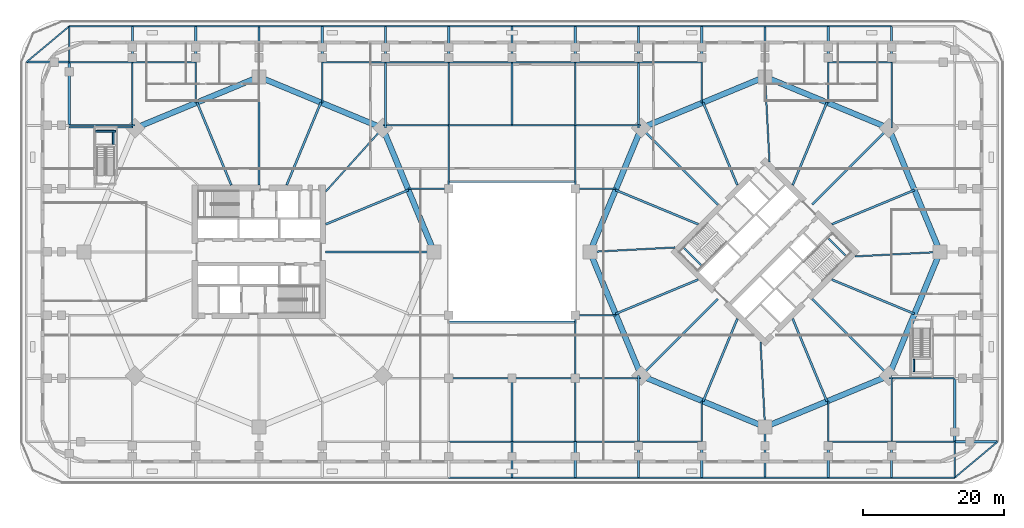
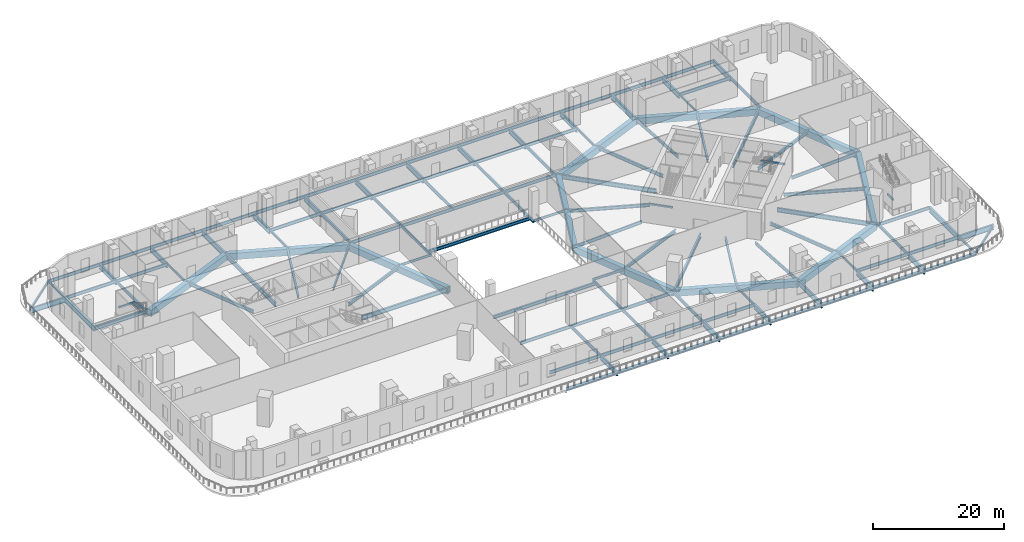
# One storey, part 2 of 19: 137 beams.
"""IFC4 building model written with IfcOpenShell, lengths in metres."""

from ifc_helpers import new_model, si_unit, direction, frame, origin, origin_2d, place, context, subcontext, project, spatial, rectangle, hollow_rectangle, i_section, extrude, material, material_profile, profile_set, type_object, element, save


model = new_model("IFC4")

# Units and contexts
model_context = context("Model", 3, precision=1e-05, world=origin(), true_north=direction((0.0, 1.0)))
body_context = subcontext(model_context, "Body", "Model", "MODEL_VIEW")
ifc_project = project(units=[si_unit("LENGTHUNIT", "METRE"), si_unit("AREAUNIT", "SQUARE_METRE"), si_unit("VOLUMEUNIT", "CUBIC_METRE"), si_unit("PLANEANGLEUNIT", "RADIAN"), si_unit("MASSUNIT", "GRAM", prefix="KILO")], contexts=[model_context])

# Site, building, storey
site_placement = place(None, origin())
site = spatial("IfcSite", under=ifc_project, at=site_placement, CompositionType="ELEMENT")
building_placement = place(site_placement, origin())
building = spatial("IfcBuilding", under=site, at=building_placement, Name="Ogive Gate Towers", CompositionType="ELEMENT")
storey_placement = place(building_placement, frame((0.0, 0.0, 12.60009765625)))
storey = spatial("IfcBuildingStorey", under=building, at=storey_placement, Name="L02", CompositionType="ELEMENT", Elevation=12.60009765625)

# Beams
ifc_material_1 = material(Name="Steel SM460", Category="steel")
ifc_material_profile_1 = material_profile(ifc_material_1, hollow_rectangle(XDim=0.800048828125, YDim=1.199951171875, WallThickness=0.050048828125, at=origin_2d()), Name="BX 1200x800x50")
ifc_profile_set_1 = profile_set([ifc_material_profile_1], Name="Steel SM460")
beam_type_1 = type_object("IfcBeamType", Name="Edge girder BX 1200x800x50", PredefinedType="BEAM", material=ifc_profile_set_1)
for number, where, z_axis, x_axis, name in (
    (1, (-11.090087890625, 0.0, -0.900146484375), (-0.382680526191, 0.923880736283, 0.0), (-0.923880736283, -0.382680526191, 0.0), "T1/L02/SBM020"),
    (2, (-18.385986328125, 17.614013671875, -0.900146484375), (-0.923880736283, 0.382680526191, 0.0), (-0.382680526191, -0.923880736283, 0.0), "T1/L02/SBM021"),
    (3, (-36.0, 24.909912109375, -0.900146484375), (-0.923880736283, -0.382680526191, 0.0), (0.382680526191, -0.923880736283, 0.0), "T1/L02/SBM022"),
    (4, (18.385986328125, -17.614013671875, -0.900146484375), (0.923880736283, -0.382680526191, 0.0), (0.382680526191, 0.923880736283, 0.0), "T2/L02/SBM017"),
    (5, (36.0, -24.909912109375, -0.900146484375), (0.923880736283, 0.382680526191, 0.0), (-0.382680526191, 0.923880736283, 0.0), "T2/L02/SBM018"),
    (6, (53.614013671875, -17.614013671875, -0.900146484375), (0.382680526191, 0.923880736283, 0.0), (-0.923880736283, 0.382680526191, 0.0), "T2/L02/SBM019"),
    (7, (60.909912109375, 0.0, -0.900146484375), (-0.382680526191, 0.923880736283, 0.0), (-0.923880736283, -0.382680526191, 0.0), "T2/L02/SBM020"),
    (8, (53.614013671875, 17.614013671875, -0.900146484375), (-0.923880736283, 0.382680526191, 0.0), (-0.382680526191, -0.923880736283, 0.0), "T2/L02/SBM021"),
    (9, (36.0, 24.909912109375, -0.900146484375), (-0.923880736283, -0.382680526191, 0.0), (0.382680526191, -0.923880736283, 0.0), "T2/L02/SBM022"),
    (10, (18.385986328125, 17.614013671875, -0.900146484375), (-0.382680526191, -0.923880736283, 0.0), (0.923880736283, -0.382680526191, 0.0), "T2/L02/SBM023"),
    (11, (11.090087890625, 0.0, -0.900146484375), (0.382680526191, -0.923880736283, 0.0), (0.923880736283, 0.382680526191, 0.0), "T2/L02/SBM024"),
):
    element("IfcBeam", number, at=place(storey_placement, frame(where, z_axis=z_axis, x_axis=x_axis)), inside=storey, type_object=beam_type_1, Name=name, PredefinedType="BEAM", context=body_context, shape_type="SweptSolid", body=[
        extrude(hollow_rectangle(XDim=0.800048828125, YDim=1.199951171875, WallThickness=0.050048828125, at=origin_2d()), origin(), (0.0, 0.0, 1.0), 19.065185546875),
    ])
ifc_material_2 = material(Name="Steel SM355", Category="steel")
ifc_material_profile_2 = material_profile(ifc_material_2, i_section(OverallWidth=0.300048828125, OverallDepth=0.590087890625, WebThickness=0.012939453125, FlangeThickness=0.02490234375, FilletRadius=0.027099609375, at=origin_2d()), Name="HE 600 A")
ifc_profile_set_2 = profile_set([ifc_material_profile_2], Name="Steel SM355")
beam_type_2 = type_object("IfcBeamType", Name="Floor beam HE 600 A", PredefinedType="BEAM", material=ifc_profile_set_2)
for number, where, z_axis, x_axis, name in (
    (12, (-9.0, -10.0, -0.59521484375), (1.0, 0.0, 0.0), (0.0, 1.0, 0.0), "PD/L02/SBM163"),
    (13, (-9.0, 10.0, -0.59521484375), (1.0, 0.0, 0.0), (0.0, 1.0, 0.0), "PD/L02/SBM164"),
):
    element("IfcBeam", number, at=place(storey_placement, frame(where, z_axis=z_axis, x_axis=x_axis)), inside=storey, type_object=beam_type_2, Name=name, PredefinedType="BEAM", context=body_context, shape_type="SweptSolid", body=[
        extrude(i_section(OverallWidth=0.300048828125, OverallDepth=0.590087890625, WebThickness=0.012939453125, FlangeThickness=0.02490234375, FilletRadius=0.027099609375, at=origin_2d()), origin(), (0.0, 0.0, 1.0), 18.0),
    ])
ifc_material_profile_3 = material_profile(ifc_material_2, i_section(OverallWidth=0.18994140625, OverallDepth=0.449951171875, WebThickness=0.009521484375, FlangeThickness=0.0146484375, FilletRadius=0.02099609375, at=origin_2d()), Name="IPE 450")
ifc_profile_set_3 = profile_set([ifc_material_profile_3], Name="Steel SM355")
beam_type_3 = type_object("IfcBeamType", Name="Floor beam IPE 450", PredefinedType="BEAM", material=ifc_profile_set_3)
for number, where, z_axis, x_axis, name in (
    (14, (-63.0, 27.0, -0.525146484375), (0.0, 1.0, 0.0), (-1.0, 0.0, 0.0), "PD/L02/SBM048"),
    (15, (63.0, -32.10009765625, -0.525146484375), (0.0, 1.0, 0.0), (-1.0, 0.0, 0.0), "PD/L02/SBM067"),
):
    element("IfcBeam", number, at=place(storey_placement, frame(where, z_axis=z_axis, x_axis=x_axis)), inside=storey, type_object=beam_type_3, Name=name, PredefinedType="BEAM", context=body_context, shape_type="SweptSolid", body=[
        extrude(i_section(OverallWidth=0.18994140625, OverallDepth=0.449951171875, WebThickness=0.009521484375, FlangeThickness=0.0146484375, FilletRadius=0.02099609375, at=origin_2d()), origin(), (0.0, 0.0, 1.0), 5.10009765625),
    ])
for number, where, z_axis, x_axis, name in (
    (16, (-45.0, 27.0, -0.525146484375), (0.0, -1.0, 0.0), (1.0, 0.0, 0.0), "PD/L02/SBM150"),
    (17, (-27.0, 27.0, -0.525146484375), (0.0, -1.0, 0.0), (1.0, 0.0, 0.0), "PD/L02/SBM152"),
    (18, (-9.0, 9.0, -0.525146484375), (-1.0, 0.0, 0.0), (0.0, -1.0, 0.0), "PD/L02/SBM154"),
    (19, (9.0, -9.0, -0.525146484375), (1.0, 0.0, 0.0), (0.0, 1.0, 0.0), "PD/L02/SBM155"),
    (20, (9.0, 9.0, -0.525146484375), (1.0, 0.0, 0.0), (0.0, 1.0, 0.0), "PD/L02/SBM156"),
    (21, (27.0, -27.0, -0.525146484375), (0.0, 1.0, 0.0), (-1.0, 0.0, 0.0), "PD/L02/SBM157"),
    (22, (27.0, 27.0, -0.525146484375), (0.0, -1.0, 0.0), (1.0, 0.0, 0.0), "PD/L02/SBM158"),
    (23, (45.0, -27.0, -0.525146484375), (0.0, 1.0, 0.0), (-1.0, 0.0, 0.0), "PD/L02/SBM159"),
    (24, (45.0, 27.0, -0.525146484375), (0.0, -1.0, 0.0), (1.0, 0.0, 0.0), "PD/L02/SBM160"),
):
    element("IfcBeam", number, at=place(storey_placement, frame(where, z_axis=z_axis, x_axis=x_axis)), inside=storey, type_object=beam_type_3, Name=name, PredefinedType="BEAM", context=body_context, shape_type="SweptSolid", body=[
        extrude(i_section(OverallWidth=0.18994140625, OverallDepth=0.449951171875, WebThickness=0.009521484375, FlangeThickness=0.0146484375, FilletRadius=0.02099609375, at=origin_2d()), origin(), (0.0, 0.0, 1.0), 5.81787109375),
    ])
ifc_material_profile_4 = material_profile(ifc_material_2, i_section(OverallWidth=0.199951171875, OverallDepth=0.5, WebThickness=0.01025390625, FlangeThickness=0.01611328125, FilletRadius=0.02099609375, at=origin_2d()), Name="IPE 500")
ifc_profile_set_4 = profile_set([ifc_material_profile_4], Name="Steel SM355")
beam_type_4 = type_object("IfcBeamType", Name="Floor beam IPE 500", PredefinedType="BEAM", material=ifc_profile_set_4)
for number, where, z_axis, x_axis, name in (
    (25, (-69.095703125, 27.0, -0.550048828125), (0.766960869865, 0.641693871014, 0.0), (-0.641693871014, 0.766960869865, 0.0), "PD/L02/SBM124"),
    (26, (69.095703125, -27.0, -0.550048828125), (-0.766960869865, -0.641693871014, 0.0), (0.641693871014, -0.766960869865, 0.0), "PD/L02/SBM146"),
):
    element("IfcBeam", number, at=place(storey_placement, frame(where, z_axis=z_axis, x_axis=x_axis)), inside=storey, type_object=beam_type_4, Name=name, PredefinedType="BEAM", context=body_context, shape_type="SweptSolid", body=[
        extrude(i_section(OverallWidth=0.199951171875, OverallDepth=0.5, WebThickness=0.01025390625, FlangeThickness=0.01611328125, FilletRadius=0.02099609375, at=origin_2d()), origin(), (0.0, 0.0, 1.0), 7.94775390625),
    ])
ifc_material_profile_5 = material_profile(ifc_material_2, i_section(OverallWidth=0.219970703125, OverallDepth=0.60009765625, WebThickness=0.011962890625, FlangeThickness=0.01904296875, FilletRadius=0.02392578125, at=origin_2d()), Name="IPE 600")
ifc_profile_set_5 = profile_set([ifc_material_profile_5], Name="Steel SM355")
beam_type_5 = type_object("IfcBeamType", Name="Floor beam IPE 600", PredefinedType="BEAM", material=ifc_profile_set_5)
for number, where, z_axis, x_axis, name in (
    (27, (-54.0, 17.614013671875, -0.60009765625), (0.0, 1.0, 0.0), (-1.0, 0.0, 0.0), "PD/L02/SBM050"),
    (28, (-18.0, 17.614013671875, -0.60009765625), (0.0, 1.0, 0.0), (-1.0, 0.0, 0.0), "PD/L02/SBM052"),
):
    element("IfcBeam", number, at=place(storey_placement, frame(where, z_axis=z_axis, x_axis=x_axis)), inside=storey, type_object=beam_type_5, Name=name, PredefinedType="BEAM", context=body_context, shape_type="SweptSolid", body=[
        extrude(i_section(OverallWidth=0.219970703125, OverallDepth=0.60009765625, WebThickness=0.011962890625, FlangeThickness=0.01904296875, FilletRadius=0.02392578125, at=origin_2d()), origin(), (0.0, 0.0, 1.0), 9.385986328125),
    ])
for number, where, z_axis, x_axis, name in (
    (29, (-9.0, 9.0, -0.60009765625), (0.0, 1.0, 0.0), (-1.0, 0.0, 0.0), "PD/L02/SBM055"),
    (30, (-9.0, 18.0, -0.60009765625), (0.0, 1.0, 0.0), (-1.0, 0.0, 0.0), "PD/L02/SBM056"),
    (31, (0.0, -27.0, -0.60009765625), (0.0, 1.0, 0.0), (-1.0, 0.0, 0.0), "PD/L02/SBM057"),
    (32, (0.0, 18.0, -0.60009765625), (0.0, 1.0, 0.0), (-1.0, 0.0, 0.0), "PD/L02/SBM058"),
    (33, (9.0, -27.0, -0.60009765625), (0.0, 1.0, 0.0), (-1.0, 0.0, 0.0), "PD/L02/SBM059"),
    (34, (9.0, -18.0, -0.60009765625), (0.0, 1.0, 0.0), (-1.0, 0.0, 0.0), "PD/L02/SBM060"),
    (35, (9.0, 9.0, -0.60009765625), (0.0, 1.0, 0.0), (-1.0, 0.0, 0.0), "PD/L02/SBM061"),
    (36, (9.0, 18.0, -0.60009765625), (0.0, 1.0, 0.0), (-1.0, 0.0, 0.0), "PD/L02/SBM062"),
):
    element("IfcBeam", number, at=place(storey_placement, frame(where, z_axis=z_axis, x_axis=x_axis)), inside=storey, type_object=beam_type_5, Name=name, PredefinedType="BEAM", context=body_context, shape_type="SweptSolid", body=[
        extrude(i_section(OverallWidth=0.219970703125, OverallDepth=0.60009765625, WebThickness=0.011962890625, FlangeThickness=0.01904296875, FilletRadius=0.02392578125, at=origin_2d()), origin(), (0.0, 0.0, 1.0), 9.0),
    ])
for number, where, z_axis, x_axis, name in (
    (37, (18.0, -27.0, -0.60009765625), (0.0, 1.0, 0.0), (-1.0, 0.0, 0.0), "PD/L02/SBM063"),
    (38, (18.0, 17.614013671875, -0.60009765625), (0.0, 1.0, 0.0), (-1.0, 0.0, 0.0), "PD/L02/SBM064"),
    (39, (54.0, -27.0, -0.60009765625), (0.0, 1.0, 0.0), (-1.0, 0.0, 0.0), "PD/L02/SBM065"),
    (40, (54.0, 17.614013671875, -0.60009765625), (0.0, 1.0, 0.0), (-1.0, 0.0, 0.0), "PD/L02/SBM066"),
):
    element("IfcBeam", number, at=place(storey_placement, frame(where, z_axis=z_axis, x_axis=x_axis)), inside=storey, type_object=beam_type_5, Name=name, PredefinedType="BEAM", context=body_context, shape_type="SweptSolid", body=[
        extrude(i_section(OverallWidth=0.219970703125, OverallDepth=0.60009765625, WebThickness=0.011962890625, FlangeThickness=0.01904296875, FilletRadius=0.02392578125, at=origin_2d()), origin(), (0.0, 0.0, 1.0), 9.385986328125),
    ])
for number, where, z_axis, x_axis, name in (
    (41, (-9.0, -27.0, -0.60009765625), (1.0, 0.0, 0.0), (0.0, 1.0, 0.0), "PD/L02/SBM075"),
    (42, (0.0, -27.0, -0.60009765625), (1.0, 0.0, 0.0), (0.0, 1.0, 0.0), "PD/L02/SBM076"),
    (43, (9.0, -27.0, -0.60009765625), (1.0, 0.0, 0.0), (0.0, 1.0, 0.0), "PD/L02/SBM077"),
    (44, (18.0, -27.0, -0.60009765625), (1.0, 0.0, 0.0), (0.0, 1.0, 0.0), "PD/L02/SBM078"),
    (45, (45.0, -27.0, -0.60009765625), (1.0, 0.0, 0.0), (0.0, 1.0, 0.0), "PD/L02/SBM079"),
    (46, (54.0, -27.0, -0.60009765625), (1.0, 0.0, 0.0), (0.0, 1.0, 0.0), "PD/L02/SBM080"),
    (47, (-9.0, -18.0, -0.60009765625), (1.0, 0.0, 0.0), (0.0, 1.0, 0.0), "PD/L02/SBM083"),
    (48, (0.0, -18.0, -0.60009765625), (1.0, 0.0, 0.0), (0.0, 1.0, 0.0), "PD/L02/SBM084"),
):
    element("IfcBeam", number, at=place(storey_placement, frame(where, z_axis=z_axis, x_axis=x_axis)), inside=storey, type_object=beam_type_5, Name=name, PredefinedType="BEAM", context=body_context, shape_type="SweptSolid", body=[
        extrude(i_section(OverallWidth=0.219970703125, OverallDepth=0.60009765625, WebThickness=0.011962890625, FlangeThickness=0.01904296875, FilletRadius=0.02392578125, at=origin_2d()), origin(), (0.0, 0.0, 1.0), 9.0),
    ])
for number, where, z_axis, x_axis, name in (
    (49, (9.0, -18.0, -0.60009765625), (1.0, 0.0, 0.0), (0.0, 1.0, 0.0), "PD/L02/SBM085"),
    (50, (53.614013671875, -18.0, -0.60009765625), (1.0, 0.0, 0.0), (0.0, 1.0, 0.0), "PD/L02/SBM086"),
    (51, (-63.0, 18.0, -0.60009765625), (1.0, 0.0, 0.0), (0.0, 1.0, 0.0), "PD/L02/SBM087"),
    (52, (-18.385986328125, 18.0, -0.60009765625), (1.0, 0.0, 0.0), (0.0, 1.0, 0.0), "PD/L02/SBM088"),
):
    element("IfcBeam", number, at=place(storey_placement, frame(where, z_axis=z_axis, x_axis=x_axis)), inside=storey, type_object=beam_type_5, Name=name, PredefinedType="BEAM", context=body_context, shape_type="SweptSolid", body=[
        extrude(i_section(OverallWidth=0.219970703125, OverallDepth=0.60009765625, WebThickness=0.011962890625, FlangeThickness=0.01904296875, FilletRadius=0.02392578125, at=origin_2d()), origin(), (0.0, 0.0, 1.0), 9.385986328125),
    ])
for number, where, z_axis, x_axis, name in (
    (53, (-9.0, 18.0, -0.60009765625), (1.0, 0.0, 0.0), (0.0, 1.0, 0.0), "PD/L02/SBM089"),
    (54, (0.0, 18.0, -0.60009765625), (1.0, 0.0, 0.0), (0.0, 1.0, 0.0), "PD/L02/SBM090"),
):
    element("IfcBeam", number, at=place(storey_placement, frame(where, z_axis=z_axis, x_axis=x_axis)), inside=storey, type_object=beam_type_5, Name=name, PredefinedType="BEAM", context=body_context, shape_type="SweptSolid", body=[
        extrude(i_section(OverallWidth=0.219970703125, OverallDepth=0.60009765625, WebThickness=0.011962890625, FlangeThickness=0.01904296875, FilletRadius=0.02392578125, at=origin_2d()), origin(), (0.0, 0.0, 1.0), 9.0),
    ])
beam_1_placement = place(storey_placement, frame((9.0, 18.0, -0.60009765625), z_axis=(1.0, 0.0, 0.0), x_axis=(0.0, 1.0, 0.0)))
element("IfcBeam", 55, at=beam_1_placement, inside=storey, type_object=beam_type_5, Name="PD/L02/SBM091", PredefinedType="BEAM", context=body_context, shape_type="SweptSolid", body=[
    extrude(i_section(OverallWidth=0.219970703125, OverallDepth=0.60009765625, WebThickness=0.011962890625, FlangeThickness=0.01904296875, FilletRadius=0.02392578125, at=origin_2d()), origin(), (0.0, 0.0, 1.0), 9.385986328125),
])
for number, where, z_axis, x_axis, name in (
    (56, (-63.0, 27.0, -0.60009765625), (1.0, 0.0, 0.0), (0.0, 1.0, 0.0), "PD/L02/SBM093"),
    (57, (-54.0, 27.0, -0.60009765625), (1.0, 0.0, 0.0), (0.0, 1.0, 0.0), "PD/L02/SBM094"),
    (58, (-27.0, 27.0, -0.60009765625), (1.0, 0.0, 0.0), (0.0, 1.0, 0.0), "PD/L02/SBM095"),
    (59, (-18.0, 27.0, -0.60009765625), (1.0, 0.0, 0.0), (0.0, 1.0, 0.0), "PD/L02/SBM096"),
    (60, (-9.0, 27.0, -0.60009765625), (1.0, 0.0, 0.0), (0.0, 1.0, 0.0), "PD/L02/SBM097"),
    (61, (0.0, 27.0, -0.60009765625), (1.0, 0.0, 0.0), (0.0, 1.0, 0.0), "PD/L02/SBM098"),
    (62, (9.0, 27.0, -0.60009765625), (1.0, 0.0, 0.0), (0.0, 1.0, 0.0), "PD/L02/SBM099"),
    (63, (18.0, 27.0, -0.60009765625), (1.0, 0.0, 0.0), (0.0, 1.0, 0.0), "PD/L02/SBM100"),
    (64, (45.0, 27.0, -0.60009765625), (1.0, 0.0, 0.0), (0.0, 1.0, 0.0), "PD/L02/SBM101"),
    (65, (63.0, -32.10009765625, -0.60009765625), (-1.0, 0.0, 0.0), (0.0, -1.0, 0.0), "PD/L02/SBM103"),
    (66, (54.0, -32.10009765625, -0.60009765625), (-1.0, 0.0, 0.0), (0.0, -1.0, 0.0), "PD/L02/SBM104"),
    (67, (45.0, -32.10009765625, -0.60009765625), (-1.0, 0.0, 0.0), (0.0, -1.0, 0.0), "PD/L02/SBM105"),
    (68, (36.0, -32.10009765625, -0.60009765625), (-1.0, 0.0, 0.0), (0.0, -1.0, 0.0), "PD/L02/SBM106"),
    (69, (27.0, -32.10009765625, -0.60009765625), (-1.0, 0.0, 0.0), (0.0, -1.0, 0.0), "PD/L02/SBM107"),
    (70, (18.0, -32.10009765625, -0.60009765625), (-1.0, 0.0, 0.0), (0.0, -1.0, 0.0), "PD/L02/SBM108"),
    (71, (9.0, -32.10009765625, -0.60009765625), (-1.0, 0.0, 0.0), (0.0, -1.0, 0.0), "PD/L02/SBM109"),
    (72, (0.0, -32.10009765625, -0.60009765625), (-1.0, 0.0, 0.0), (0.0, -1.0, 0.0), "PD/L02/SBM110"),
    (73, (-63.0, 32.10009765625, -0.60009765625), (1.0, 0.0, 0.0), (0.0, 1.0, 0.0), "PD/L02/SBM125"),
    (74, (-54.0, 32.10009765625, -0.60009765625), (1.0, 0.0, 0.0), (0.0, 1.0, 0.0), "PD/L02/SBM126"),
    (75, (-45.0, 32.10009765625, -0.60009765625), (1.0, 0.0, 0.0), (0.0, 1.0, 0.0), "PD/L02/SBM127"),
    (76, (-36.0, 32.10009765625, -0.60009765625), (1.0, 0.0, 0.0), (0.0, 1.0, 0.0), "PD/L02/SBM128"),
    (77, (-27.0, 32.10009765625, -0.60009765625), (1.0, 0.0, 0.0), (0.0, 1.0, 0.0), "PD/L02/SBM129"),
    (78, (-18.0, 32.10009765625, -0.60009765625), (1.0, 0.0, 0.0), (0.0, 1.0, 0.0), "PD/L02/SBM130"),
    (79, (-9.0, 32.10009765625, -0.60009765625), (1.0, 0.0, 0.0), (0.0, 1.0, 0.0), "PD/L02/SBM131"),
    (80, (0.0, 32.10009765625, -0.60009765625), (1.0, 0.0, 0.0), (0.0, 1.0, 0.0), "PD/L02/SBM132"),
    (81, (9.0, 32.10009765625, -0.60009765625), (1.0, 0.0, 0.0), (0.0, 1.0, 0.0), "PD/L02/SBM133"),
    (82, (18.0, 32.10009765625, -0.60009765625), (1.0, 0.0, 0.0), (0.0, 1.0, 0.0), "PD/L02/SBM134"),
    (83, (27.0, 32.10009765625, -0.60009765625), (1.0, 0.0, 0.0), (0.0, 1.0, 0.0), "PD/L02/SBM135"),
    (84, (36.0, 32.10009765625, -0.60009765625), (1.0, 0.0, 0.0), (0.0, 1.0, 0.0), "PD/L02/SBM136"),
    (85, (45.0, 32.10009765625, -0.60009765625), (1.0, 0.0, 0.0), (0.0, 1.0, 0.0), "PD/L02/SBM137"),
    (86, (-63.0, 17.719970703125, -0.60009765625), (1.0, 0.0, 0.0), (0.0, 1.0, 0.0), "PD/L02/SBM165"),
):
    element("IfcBeam", number, at=place(storey_placement, frame(where, z_axis=z_axis, x_axis=x_axis)), inside=storey, type_object=beam_type_5, Name=name, PredefinedType="BEAM", context=body_context, shape_type="SweptSolid", body=[
        extrude(i_section(OverallWidth=0.219970703125, OverallDepth=0.60009765625, WebThickness=0.011962890625, FlangeThickness=0.01904296875, FilletRadius=0.02392578125, at=origin_2d()), origin(), (0.0, 0.0, 1.0), 9.0),
    ])
ifc_material_3 = material(Name="Concrete C40/50", Category="concrete")
ifc_material_profile_6 = material_profile(ifc_material_3, rectangle(XDim=0.25, YDim=0.300048828125, at=origin_2d()), Name="RC 250x300")
ifc_profile_set_6 = profile_set([ifc_material_profile_6], Name="Concrete C40/50")
beam_type_6 = type_object("IfcBeamType", Name="Landing bearer RC 250x300", PredefinedType="BEAM", material=ifc_profile_set_6)
for number, where, z_axis, x_axis, name in (
    (87, (24.373291015625, 0.677001953125, 2.349853515625), (0.707138693938, -0.707074866995, 0.0), (0.707074866995, 0.707138693938, 0.0), "T2 L02 stair 1 landing bearer 1"),
    (88, (47.626708984375, -0.677001953125, 2.349853515625), (-0.707138693938, 0.707074866995, 0.0), (-0.707074866995, -0.707138693938, 0.0), "T2 L02 stair 2 landing bearer 1"),
):
    element("IfcBeam", number, at=place(storey_placement, frame(where, z_axis=z_axis, x_axis=x_axis)), inside=storey, type_object=beam_type_6, Name=name, PredefinedType="BEAM", context=body_context, shape_type="SweptSolid", body=[
        extrude(rectangle(XDim=0.25, YDim=0.300048828125, at=origin_2d()), origin(), (0.0, 0.0, 1.0), 3.824951171875),
    ])
ifc_material_profile_7 = material_profile(ifc_material_3, rectangle(XDim=0.25, YDim=0.300048828125, at=origin_2d()), Name="RC 250x300")
ifc_profile_set_7 = profile_set([ifc_material_profile_7], Name="Concrete C40/50")
beam_type_7 = type_object("IfcBeamType", Name="Landing bearer RC 250x300 (stair)", PredefinedType="BEAM", material=ifc_profile_set_7)
beam_2_placement = place(storey_placement, frame((-56.39990234375, 17.169921875, 2.349853515625), z_axis=(-1.0, 0.0, 0.0), x_axis=(0.0, -1.0, 0.0)))
element("IfcBeam", 89, at=beam_2_placement, inside=storey, type_object=beam_type_7, Name="PS1 L02 landing 1 bearer 2", PredefinedType="BEAM", context=body_context, shape_type="SweptSolid", body=[
    extrude(rectangle(XDim=0.25, YDim=0.300048828125, at=origin_2d()), origin(), (0.0, 0.0, 1.0), 2.85009765625),
])
for number, where, z_axis, x_axis, name in (
    (90, (-56.75, 15.294921875, 2.349853515625), (0.0, 1.0, 0.0), (-1.0, 0.0, 0.0), "PS1 L02 landing 1 bearer 3"),
    (91, (57.199951171875, -15.294921875, 2.349853515625), (0.0, -1.0, 0.0), (1.0, 0.0, 0.0), "PS2 L02 landing 1 bearer 3"),
):
    element("IfcBeam", number, at=place(storey_placement, frame(where, z_axis=z_axis, x_axis=x_axis)), inside=storey, type_object=beam_type_7, Name=name, PredefinedType="BEAM", context=body_context, shape_type="SweptSolid", body=[
        extrude(rectangle(XDim=0.25, YDim=0.300048828125, at=origin_2d()), origin(), (0.0, 0.0, 1.0), 1.75),
    ])
ifc_material_profile_8 = material_profile(ifc_material_2, i_section(OverallWidth=0.300048828125, OverallDepth=0.590087890625, WebThickness=0.012939453125, FlangeThickness=0.02490234375, FilletRadius=0.027099609375, at=origin_2d()), Name="HE 600 A")
ifc_profile_set_8 = profile_set([ifc_material_profile_8], Name="Steel SM355")
beam_type_8 = type_object("IfcBeamType", Name="Radial floor beam HE 600 A", PredefinedType="BEAM", material=ifc_profile_set_8)
for number, where, z_axis, x_axis, name in (
    (92, (-26.5, 3.93505859375, -0.59521484375), (0.923876595354, 0.382690523214, 0.0), (-0.382690523214, 0.923876595354, 0.0), "T1/L02/SBM008"),
    (93, (-32.06494140625, 9.5, -0.59521484375), (0.382690523214, 0.923876595354, 0.0), (-0.923876595354, 0.382690523214, 0.0), "T1/L02/SBM010"),
    (94, (-39.93505859375, 9.5, -0.59521484375), (-0.382690523214, 0.923876595354, 0.0), (-0.923876595354, -0.382690523214, 0.0), "T1/L02/SBM012"),
    (95, (32.06494140625, -9.5, -0.59521484375), (-0.382690523214, -0.923876595354, 0.0), (0.923876595354, -0.382690523214, 0.0), "T2/L02/SBM002"),
    (96, (39.93505859375, -9.5, -0.59521484375), (0.382690523214, -0.923876595354, 0.0), (0.923876595354, 0.382690523214, 0.0), "T2/L02/SBM004"),
    (97, (45.5, -3.93505859375, -0.59521484375), (0.923876595354, -0.382690523214, 0.0), (0.382690523214, 0.923876595354, 0.0), "T2/L02/SBM006"),
    (98, (45.5, 3.93505859375, -0.59521484375), (0.923876595354, 0.382690523214, 0.0), (-0.382690523214, 0.923876595354, 0.0), "T2/L02/SBM008"),
    (99, (39.93505859375, 9.5, -0.59521484375), (0.382690523214, 0.923876595354, 0.0), (-0.923876595354, 0.382690523214, 0.0), "T2/L02/SBM010"),
    (100, (32.06494140625, 9.5, -0.59521484375), (-0.382690523214, 0.923876595354, 0.0), (-0.923876595354, -0.382690523214, 0.0), "T2/L02/SBM012"),
    (101, (26.5, 3.93505859375, -0.59521484375), (-0.923876595354, 0.382690523214, 0.0), (-0.382690523214, -0.923876595354, 0.0), "T2/L02/SBM014"),
    (102, (26.5, -3.93505859375, -0.59521484375), (-0.923876595354, -0.382690523214, 0.0), (0.382690523214, -0.923876595354, 0.0), "T2/L02/SBM016"),
):
    element("IfcBeam", number, at=place(storey_placement, frame(where, z_axis=z_axis, x_axis=x_axis)), inside=storey, type_object=beam_type_8, Name=name, PredefinedType="BEAM", context=body_context, shape_type="SweptSolid", body=[
        extrude(i_section(OverallWidth=0.300048828125, OverallDepth=0.590087890625, WebThickness=0.012939453125, FlangeThickness=0.02490234375, FilletRadius=0.027099609375, at=origin_2d()), origin(), (0.0, 0.0, 1.0), 12.731201171875),
    ])
ifc_material_profile_9 = material_profile(ifc_material_2, i_section(OverallWidth=0.300048828125, OverallDepth=0.7900390625, WebThickness=0.014892578125, FlangeThickness=0.028076171875, FilletRadius=0.030029296875, at=origin_2d()), Name="HE 800 A")
ifc_profile_set_9 = profile_set([ifc_material_profile_9], Name="Steel SM355")
beam_type_9 = type_object("IfcBeamType", Name="Radial floor beam HE 800 A", PredefinedType="BEAM", material=ifc_profile_set_9)
for number, where, z_axis, x_axis, name in (
    (103, (-26.5, 0.0, -0.695068359375), (1.0, 0.0, 0.0), (0.0, 1.0, 0.0), "T1/L02/SBM007"),
    (104, (-36.0, 9.5, -0.695068359375), (0.0, 1.0, 0.0), (-1.0, 0.0, 0.0), "T1/L02/SBM011"),
    (105, (29.282470703125, -6.717529296875, -0.695068359375), (-0.707106781187, -0.707106781187, 0.0), (0.707106781187, -0.707106781187, 0.0), "T2/L02/SBM001"),
    (106, (42.717529296875, -6.717529296875, -0.695068359375), (0.707106781187, -0.707106781187, 0.0), (0.707106781187, 0.707106781187, 0.0), "T2/L02/SBM005"),
    (107, (42.717529296875, 6.717529296875, -0.695068359375), (0.707106781187, 0.707106781187, 0.0), (-0.707106781187, 0.707106781187, 0.0), "T2/L02/SBM009"),
    (108, (29.282470703125, 6.717529296875, -0.695068359375), (-0.707106781187, 0.707106781187, 0.0), (-0.707106781187, -0.707106781187, 0.0), "T2/L02/SBM013"),
):
    element("IfcBeam", number, at=place(storey_placement, frame(where, z_axis=z_axis, x_axis=x_axis)), inside=storey, type_object=beam_type_9, Name=name, PredefinedType="BEAM", context=body_context, shape_type="SweptSolid", body=[
        extrude(i_section(OverallWidth=0.300048828125, OverallDepth=0.7900390625, WebThickness=0.014892578125, FlangeThickness=0.028076171875, FilletRadius=0.030029296875, at=origin_2d()), origin(), (0.0, 0.0, 1.0), 15.409912109375),
    ])
ifc_material_profile_10 = material_profile(ifc_material_2, i_section(OverallWidth=0.219970703125, OverallDepth=0.60009765625, WebThickness=0.011962890625, FlangeThickness=0.01904296875, FilletRadius=0.02392578125, at=origin_2d()), Name="IPE 600")
ifc_profile_set_10 = profile_set([ifc_material_profile_10], Name="Steel SM355")
beam_type_10 = type_object("IfcBeamType", Name="Radial floor beam IPE 600", PredefinedType="BEAM", material=ifc_profile_set_10)
for number, where, z_axis, x_axis, name in (
    (109, (-26.5, 8.60009765625, -0.60009765625), (0.669032571491, 0.743233084761, 0.0), (-0.743233084761, 0.669032571491, 0.0), "T1/L02/SBM009"),
    (110, (35.363525390625, -12.798583984375, -0.60009765625), (0.052479590907, -0.998621996823, 0.0), (0.998621996823, 0.052479590907, 0.0), "T2/L02/SBM003"),
    (111, (48.798583984375, -0.636474609375, -0.60009765625), (0.998621996823, 0.052479590907, 0.0), (-0.052479590907, 0.998621996823, 0.0), "T2/L02/SBM007"),
    (112, (36.636474609375, 12.798583984375, -0.60009765625), (-0.052479590907, 0.998621996823, 0.0), (-0.998621996823, -0.052479590907, 0.0), "T2/L02/SBM011"),
    (113, (23.201416015625, 0.636474609375, -0.60009765625), (-0.998621996823, -0.052479590907, 0.0), (0.052479590907, -0.998621996823, 0.0), "T2/L02/SBM015"),
):
    element("IfcBeam", number, at=place(storey_placement, frame(where, z_axis=z_axis, x_axis=x_axis)), inside=storey, type_object=beam_type_10, Name=name, PredefinedType="BEAM", context=body_context, shape_type="SweptSolid", body=[
        extrude(i_section(OverallWidth=0.219970703125, OverallDepth=0.60009765625, WebThickness=0.011962890625, FlangeThickness=0.01904296875, FilletRadius=0.02392578125, at=origin_2d()), origin(), (0.0, 0.0, 1.0), 12.1279296875),
    ])
ifc_material_profile_11 = material_profile(ifc_material_1, i_section(OverallWidth=0.300048828125, OverallDepth=0.989990234375, WebThickness=0.0166015625, FlangeThickness=0.031005859375, FilletRadius=0.030029296875, at=origin_2d()), Name="HE 1000 A")
ifc_profile_set_11 = profile_set([ifc_material_profile_11], Name="Steel SM460")
beam_type_11 = type_object("IfcBeamType", Name="Transfer girder HE 1000 A", PredefinedType="BEAM", material=ifc_profile_set_11)
beam_3_placement = place(storey_placement, frame((-63.0, 18.0, -0.795166015625), z_axis=(0.0, 1.0, 0.0), x_axis=(-1.0, 0.0, 0.0)))
element("IfcBeam", 114, at=beam_3_placement, inside=storey, type_object=beam_type_11, Name="PD/L02/SBM002", PredefinedType="BEAM", context=body_context, shape_type="SweptSolid", body=[
    extrude(i_section(OverallWidth=0.300048828125, OverallDepth=0.989990234375, WebThickness=0.0166015625, FlangeThickness=0.031005859375, FilletRadius=0.030029296875, at=origin_2d()), origin(), (0.0, 0.0, 1.0), 9.0),
])
for number, where, z_axis, x_axis, name in (
    (115, (-54.0, 27.0, -0.795166015625), (0.0, 1.0, 0.0), (-1.0, 0.0, 0.0), "PD/L02/SBM004"),
    (116, (-45.0, 27.0, -0.795166015625), (0.0, 1.0, 0.0), (-1.0, 0.0, 0.0), "PD/L02/SBM006"),
):
    element("IfcBeam", number, at=place(storey_placement, frame(where, z_axis=z_axis, x_axis=x_axis)), inside=storey, type_object=beam_type_11, Name=name, PredefinedType="BEAM", context=body_context, shape_type="SweptSolid", body=[
        extrude(i_section(OverallWidth=0.300048828125, OverallDepth=0.989990234375, WebThickness=0.0166015625, FlangeThickness=0.031005859375, FilletRadius=0.030029296875, at=origin_2d()), origin(), (0.0, 0.0, 1.0), 5.10009765625),
    ])
beam_4_placement = place(storey_placement, frame((-36.0, 24.909912109375, -0.795166015625), z_axis=(0.0, 1.0, 0.0), x_axis=(-1.0, 0.0, 0.0)))
element("IfcBeam", 117, at=beam_4_placement, inside=storey, type_object=beam_type_11, Name="PD/L02/SBM008", PredefinedType="BEAM", context=body_context, shape_type="SweptSolid", body=[
    extrude(i_section(OverallWidth=0.300048828125, OverallDepth=0.989990234375, WebThickness=0.0166015625, FlangeThickness=0.031005859375, FilletRadius=0.030029296875, at=origin_2d()), origin(), (0.0, 0.0, 1.0), 7.190185546875),
])
for number, where, z_axis, x_axis, name in (
    (118, (-27.0, 27.0, -0.795166015625), (0.0, 1.0, 0.0), (-1.0, 0.0, 0.0), "PD/L02/SBM010"),
    (119, (-18.0, 27.0, -0.795166015625), (0.0, 1.0, 0.0), (-1.0, 0.0, 0.0), "PD/L02/SBM012"),
    (120, (-9.0, 27.0, -0.795166015625), (0.0, 1.0, 0.0), (-1.0, 0.0, 0.0), "PD/L02/SBM014"),
    (121, (0.0, -32.10009765625, -0.795166015625), (0.0, 1.0, 0.0), (-1.0, 0.0, 0.0), "PD/L02/SBM015"),
    (122, (0.0, 27.0, -0.795166015625), (0.0, 1.0, 0.0), (-1.0, 0.0, 0.0), "PD/L02/SBM016"),
    (123, (9.0, -32.10009765625, -0.795166015625), (0.0, 1.0, 0.0), (-1.0, 0.0, 0.0), "PD/L02/SBM017"),
    (124, (9.0, 27.0, -0.795166015625), (0.0, 1.0, 0.0), (-1.0, 0.0, 0.0), "PD/L02/SBM018"),
    (125, (18.0, -32.10009765625, -0.795166015625), (0.0, 1.0, 0.0), (-1.0, 0.0, 0.0), "PD/L02/SBM019"),
    (126, (18.0, 27.0, -0.795166015625), (0.0, 1.0, 0.0), (-1.0, 0.0, 0.0), "PD/L02/SBM020"),
    (127, (27.0, -32.10009765625, -0.795166015625), (0.0, 1.0, 0.0), (-1.0, 0.0, 0.0), "PD/L02/SBM021"),
    (128, (27.0, 27.0, -0.795166015625), (0.0, 1.0, 0.0), (-1.0, 0.0, 0.0), "PD/L02/SBM022"),
):
    element("IfcBeam", number, at=place(storey_placement, frame(where, z_axis=z_axis, x_axis=x_axis)), inside=storey, type_object=beam_type_11, Name=name, PredefinedType="BEAM", context=body_context, shape_type="SweptSolid", body=[
        extrude(i_section(OverallWidth=0.300048828125, OverallDepth=0.989990234375, WebThickness=0.0166015625, FlangeThickness=0.031005859375, FilletRadius=0.030029296875, at=origin_2d()), origin(), (0.0, 0.0, 1.0), 5.10009765625),
    ])
for number, where, z_axis, x_axis, name in (
    (129, (36.0, -32.10009765625, -0.795166015625), (0.0, 1.0, 0.0), (-1.0, 0.0, 0.0), "PD/L02/SBM023"),
    (130, (36.0, 24.909912109375, -0.795166015625), (0.0, 1.0, 0.0), (-1.0, 0.0, 0.0), "PD/L02/SBM024"),
):
    element("IfcBeam", number, at=place(storey_placement, frame(where, z_axis=z_axis, x_axis=x_axis)), inside=storey, type_object=beam_type_11, Name=name, PredefinedType="BEAM", context=body_context, shape_type="SweptSolid", body=[
        extrude(i_section(OverallWidth=0.300048828125, OverallDepth=0.989990234375, WebThickness=0.0166015625, FlangeThickness=0.031005859375, FilletRadius=0.030029296875, at=origin_2d()), origin(), (0.0, 0.0, 1.0), 7.190185546875),
    ])
for number, where, z_axis, x_axis, name in (
    (131, (45.0, -32.10009765625, -0.795166015625), (0.0, 1.0, 0.0), (-1.0, 0.0, 0.0), "PD/L02/SBM025"),
    (132, (45.0, 27.0, -0.795166015625), (0.0, 1.0, 0.0), (-1.0, 0.0, 0.0), "PD/L02/SBM026"),
    (133, (54.0, -32.10009765625, -0.795166015625), (0.0, 1.0, 0.0), (-1.0, 0.0, 0.0), "PD/L02/SBM027"),
    (134, (54.0, 27.0, -0.795166015625), (0.0, 1.0, 0.0), (-1.0, 0.0, 0.0), "PD/L02/SBM028"),
):
    element("IfcBeam", number, at=place(storey_placement, frame(where, z_axis=z_axis, x_axis=x_axis)), inside=storey, type_object=beam_type_11, Name=name, PredefinedType="BEAM", context=body_context, shape_type="SweptSolid", body=[
        extrude(i_section(OverallWidth=0.300048828125, OverallDepth=0.989990234375, WebThickness=0.0166015625, FlangeThickness=0.031005859375, FilletRadius=0.030029296875, at=origin_2d()), origin(), (0.0, 0.0, 1.0), 5.10009765625),
    ])
beam_5_placement = place(storey_placement, frame((63.0, -27.0, -0.795166015625), z_axis=(0.0, 1.0, 0.0), x_axis=(-1.0, 0.0, 0.0)))
element("IfcBeam", 135, at=beam_5_placement, inside=storey, type_object=beam_type_11, Name="PD/L02/SBM029", PredefinedType="BEAM", context=body_context, shape_type="SweptSolid", body=[
    extrude(i_section(OverallWidth=0.300048828125, OverallDepth=0.989990234375, WebThickness=0.0166015625, FlangeThickness=0.031005859375, FilletRadius=0.030029296875, at=origin_2d()), origin(), (0.0, 0.0, 1.0), 9.0),
])
for number, where, z_axis, x_axis, name in (
    (136, (63.0, -27.0, -0.795166015625), (1.0, 0.0, 0.0), (0.0, 1.0, 0.0), "PD/L02/SBM032"),
    (137, (-69.095703125, 27.0, -0.795166015625), (1.0, 0.0, 0.0), (0.0, 1.0, 0.0), "PD/L02/SBM043"),
):
    element("IfcBeam", number, at=place(storey_placement, frame(where, z_axis=z_axis, x_axis=x_axis)), inside=storey, type_object=beam_type_11, Name=name, PredefinedType="BEAM", context=body_context, shape_type="SweptSolid", body=[
        extrude(i_section(OverallWidth=0.300048828125, OverallDepth=0.989990234375, WebThickness=0.0166015625, FlangeThickness=0.031005859375, FilletRadius=0.030029296875, at=origin_2d()), origin(), (0.0, 0.0, 1.0), 6.095703125),
    ])

save(model, "model.ifc")
